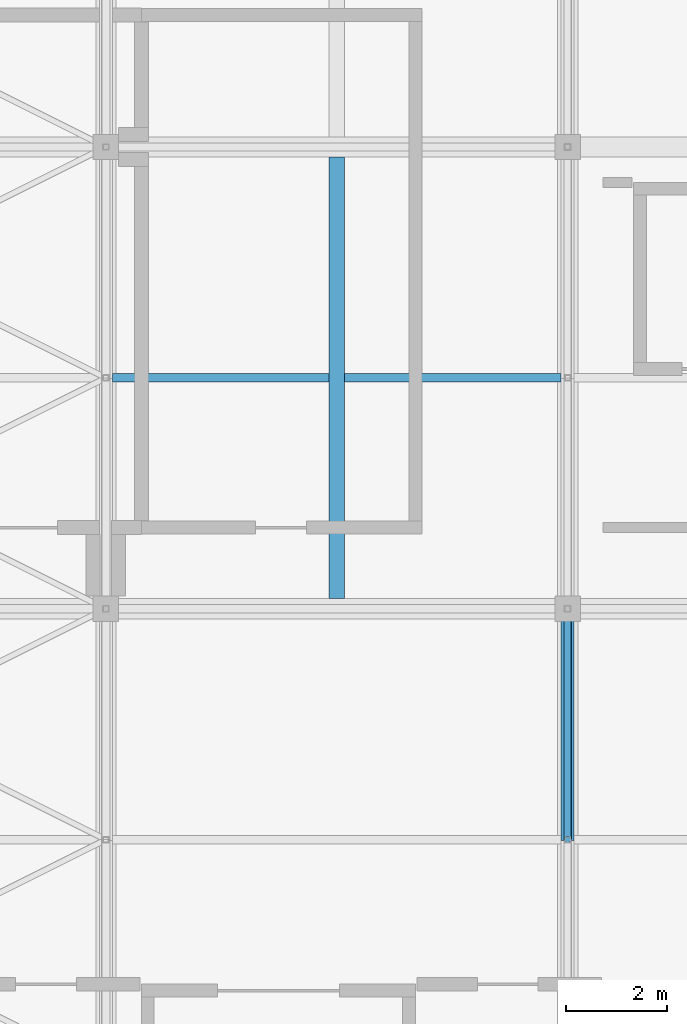
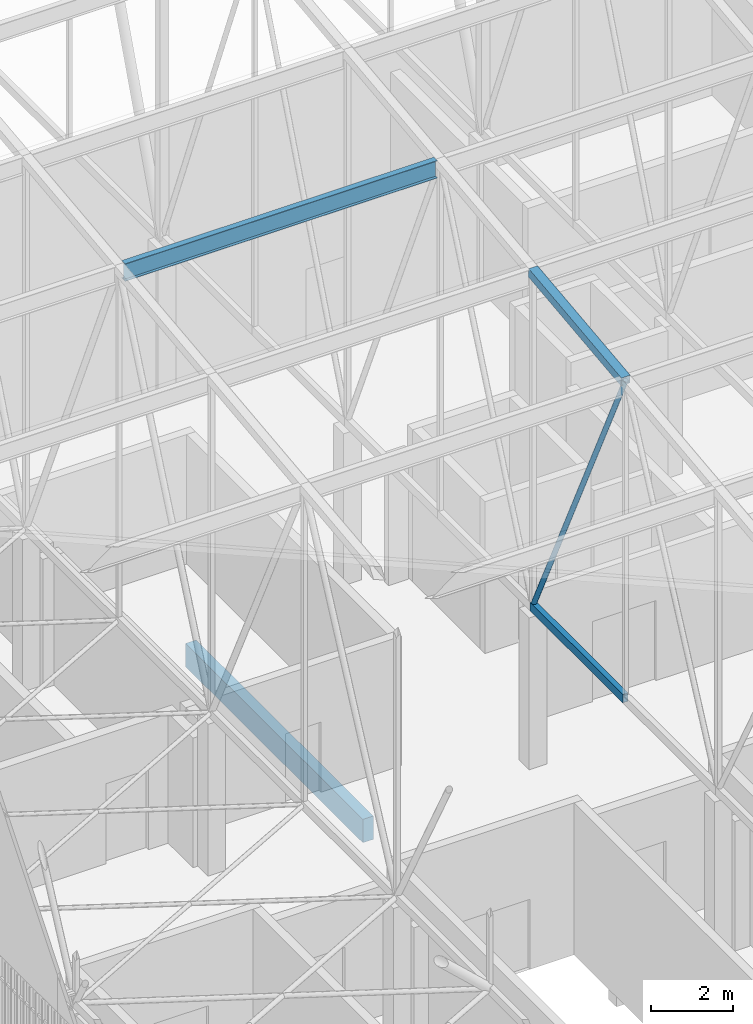
# One storey, part 24 of 500: 4 members, 1 beam.
"""IFC4 building model written with IfcOpenShell, lengths in metres."""

from ifc_helpers import new_model, si_unit, direction, frame, origin, origin_2d, place, context, subcontext, project, spatial, rectangle, hollow_rectangle, hollow_circle, i_section, extrude, material, material_profile, profile_set, type_object, element, save


model = new_model("IFC4")

# Units and contexts
model_context = context("Model", 3, precision=1e-05, world=origin(), true_north=direction((0.0, 1.0)))
body_context = subcontext(model_context, "Body", "Model", "MODEL_VIEW")
ifc_project = project(units=[si_unit("LENGTHUNIT", "METRE"), si_unit("AREAUNIT", "SQUARE_METRE"), si_unit("VOLUMEUNIT", "CUBIC_METRE"), si_unit("PLANEANGLEUNIT", "RADIAN"), si_unit("MASSUNIT", "GRAM", prefix="KILO")], contexts=[model_context])

# Site, building, storey
site_placement = place(None, origin())
site = spatial("IfcSite", under=ifc_project, at=site_placement, CompositionType="ELEMENT")
building_placement = place(site_placement, origin())
building = spatial("IfcBuilding", under=site, at=building_placement, Name="Shirokan Park Arena", CompositionType="ELEMENT")
storey_placement = place(building_placement, frame((0.0, 0.0, 29.1201171875)))
storey = spatial("IfcBuildingStorey", under=building, at=storey_placement, Name="L06", CompositionType="ELEMENT", Elevation=29.1201171875)

# Members
ifc_material_1 = material(Name="Steel ASTM A500 Grade C", Category="steel")
ifc_material_profile_1 = material_profile(ifc_material_1, hollow_rectangle(XDim=0.152099609375, YDim=0.25390625, WallThickness=0.009521484375, at=origin_2d()), Name="HSS254X152.4X9.5")
ifc_profile_set_1 = profile_set([ifc_material_profile_1], Name="Steel ASTM A500 Grade C")
member_type_1 = type_object("IfcMemberType", Name="Bottom chord HSS254X152.4X9.5", PredefinedType="CHORD", material=ifc_profile_set_1)
member_1_placement = place(storey_placement, frame((18.199951171875, 13.64990234375, 4.677001953125), z_axis=(0.0, 1.0, 0.0), x_axis=(-1.0, 0.0, 0.0)))
element("IfcMember", 1, at=member_1_placement, inside=storey, type_object=member_type_1, Name="Truss T03 bottom chord 6", PredefinedType="CHORD", context=body_context, shape_type="SweptSolid", body=[
    extrude(hollow_rectangle(XDim=0.152099609375, YDim=0.25390625, WallThickness=0.009521484375, at=origin_2d()), origin(), (0.0, 0.0, 1.0), 4.550048828125),
])
ifc_material_2 = material(Name="Steel ASTM A992", Category="steel")
ifc_material_profile_2 = material_profile(ifc_material_2, i_section(OverallWidth=0.166015625, OverallDepth=0.528076171875, WebThickness=0.009765625, FlangeThickness=0.013671875, at=origin_2d()), Name="W530X74")
ifc_profile_set_2 = profile_set([ifc_material_profile_2], Name="Steel ASTM A992")
member_type_2 = type_object("IfcMemberType", Name="Purlin W530X74", PredefinedType="PURLIN", material=ifc_profile_set_2)
member_2_placement = place(storey_placement, frame((9.22705078125, 22.75, 15.0859375), z_axis=(1.0, 0.0, 0.0), x_axis=(0.0, 1.0, 0.0)))
element("IfcMember", 2, at=member_2_placement, inside=storey, type_object=member_type_2, Name="Purlin 8 bay 2", PredefinedType="PURLIN", context=body_context, shape_type="SweptSolid", body=[
    extrude(i_section(OverallWidth=0.166015625, OverallDepth=0.528076171875, WebThickness=0.009765625, FlangeThickness=0.013671875, at=origin_2d()), origin(), (0.0, 0.0, 1.0), 8.845947265625),
])

# Beam
ifc_material_3 = material(Name="Concrete C35", Category="concrete")
ifc_material_profile_3 = material_profile(ifc_material_3, rectangle(XDim=0.300048828125, YDim=0.699951171875, at=origin_2d()), Name="300x700")
ifc_profile_set_3 = profile_set([ifc_material_profile_3], Name="Concrete C35")
beam_type = type_object("IfcBeamType", Name="RC joist 300x700", PredefinedType="JOIST", material=ifc_profile_set_3)
beam_placement = place(storey_placement, frame((13.64990234375, 18.39990234375, -0.550048828125), z_axis=(0.0, 1.0, 0.0), x_axis=(-1.0, 0.0, 0.0)))
element("IfcBeam", 3, at=beam_placement, inside=storey, type_object=beam_type, Name="Joist 2C L06", PredefinedType="JOIST", context=body_context, shape_type="SweptSolid", body=[
    extrude(rectangle(XDim=0.300048828125, YDim=0.699951171875, at=origin_2d()), origin(), (0.0, 0.0, 1.0), 8.7001953125),
])

# Members
ifc_material_profile_4 = material_profile(ifc_material_1, hollow_rectangle(XDim=0.25390625, YDim=0.25390625, WallThickness=0.009521484375, at=origin_2d()), Name="HSS254X254X9.5")
ifc_profile_set_4 = profile_set([ifc_material_profile_4], Name="Steel ASTM A500 Grade C")
member_type_3 = type_object("IfcMemberType", Name="Top chord HSS254X254X9.5", PredefinedType="CHORD", material=ifc_profile_set_4)
member_3_placement = place(storey_placement, frame((18.199951171875, 13.64990234375, 14.182861328125), z_axis=(0.0, 0.993532328996, 0.113549598152), x_axis=(-1.0, 0.0, 0.0)))
element("IfcMember", 4, at=member_3_placement, inside=storey, type_object=member_type_3, Name="Truss T03 top chord 6", PredefinedType="CHORD", context=body_context, shape_type="SweptSolid", body=[
    extrude(hollow_rectangle(XDim=0.25390625, YDim=0.25390625, WallThickness=0.009521484375, at=origin_2d()), origin(), (0.0, 0.0, 1.0), 4.57958984375),
])
ifc_material_profile_5 = material_profile(ifc_material_1, hollow_circle(Radius=0.070556640625, WallThickness=0.006591796875, at=origin_2d()), Name="HSS141.3X6.6")
ifc_profile_set_5 = profile_set([ifc_material_profile_5], Name="Steel ASTM A500 Grade C")
member_type_4 = type_object("IfcMemberType", Name="Truss diagonal HSS141.3X6.6", PredefinedType="BRACE", material=ifc_profile_set_5)
member_4_placement = place(storey_placement, frame((18.199951171875, 13.64990234375, 14.182861328125), z_axis=(0.0, 0.431746476626, -0.901994999942), x_axis=(-1.0, 0.0, 0.0)))
element("IfcMember", 5, at=member_4_placement, inside=storey, type_object=member_type_4, Name="Truss T03 diagonal 6", PredefinedType="BRACE", context=body_context, shape_type="SweptSolid", body=[
    extrude(hollow_circle(Radius=0.070556640625, WallThickness=0.006591796875, at=origin_2d()), origin(), (0.0, 0.0, 1.0), 10.538818359375),
])

save(model, "model.ifc")
